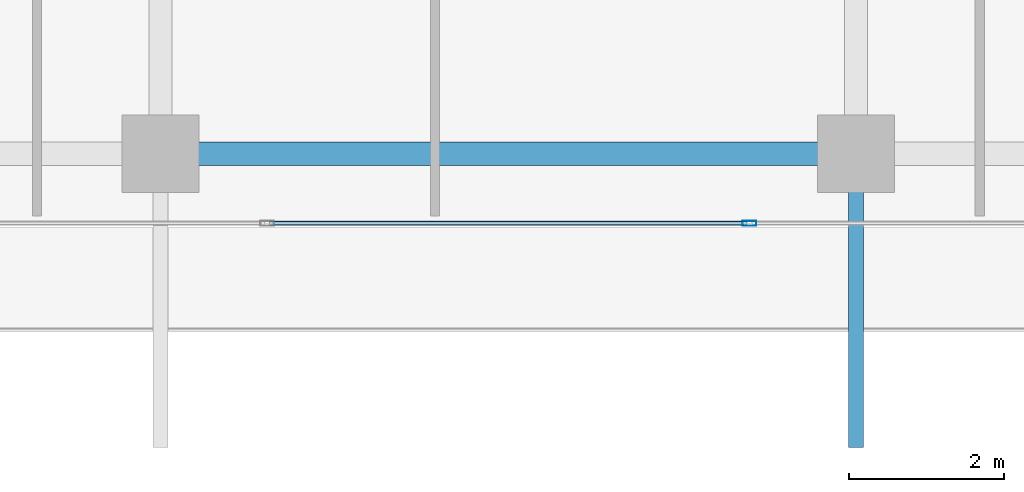
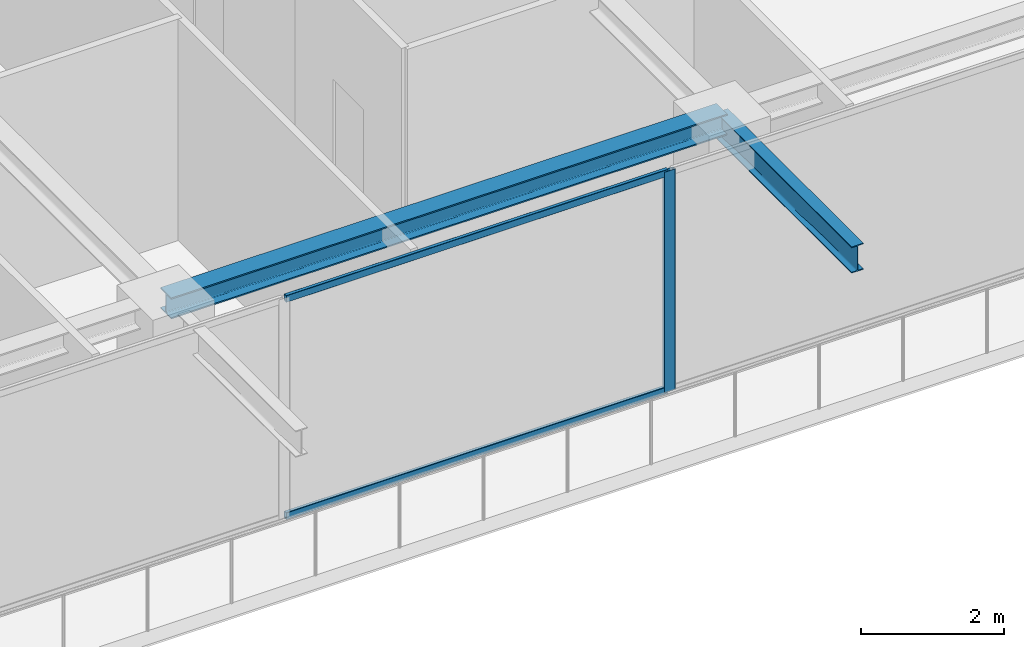
# One storey, part 6 of 37: 3 members, 2 beams, 1 element without a shape of its own.
"""IFC4 building model written with IfcOpenShell, lengths in metres."""

from ifc_helpers import new_model, si_unit, direction, frame, origin, origin_2d, place, context, subcontext, project, spatial, hollow_rectangle, i_section, extrude, source, transform, mapped, material, layer, layer_set, material_profile, profile_set, type_object, element, aggregate, save


model = new_model("IFC4")

# Units and contexts
model_context = context("Model", 3, precision=1e-05, world=origin(), true_north=direction((0.0, 1.0)))
body_context = subcontext(model_context, "Body", "Model", "MODEL_VIEW")
ifc_project = project(units=[si_unit("LENGTHUNIT", "METRE"), si_unit("AREAUNIT", "SQUARE_METRE"), si_unit("VOLUMEUNIT", "CUBIC_METRE"), si_unit("PLANEANGLEUNIT", "RADIAN"), si_unit("MASSUNIT", "GRAM", prefix="KILO")], contexts=[model_context])

# Site, building, storey
site_placement = place(None, origin())
site = spatial("IfcSite", under=ifc_project, at=site_placement, CompositionType="ELEMENT")
building_placement = place(site_placement, origin())
building = spatial("IfcBuilding", under=site, at=building_placement, Name="Serunith Strait Residences", CompositionType="ELEMENT")
storey_placement = place(building_placement, frame((0.0, 0.0, 317.75)))
storey = spatial("IfcBuildingStorey", under=building, at=storey_placement, Name="L79", CompositionType="ELEMENT", Elevation=317.75)

# Beams
ifc_material_1 = material(Name="Steel S355J2", Category="steel")
ifc_material_profile_1 = material_profile(ifc_material_1, i_section(OverallWidth=0.300048828125, OverallDepth=0.360107421875, WebThickness=0.012451171875, FlangeThickness=0.0224609375, FilletRadius=0.027099609375, at=origin_2d()), Name="HEB 360")
ifc_profile_set_1 = profile_set([ifc_material_profile_1], Name="Steel S355J2")
beam_type_1 = type_object("IfcBeamType", Name="BM-HEB360", PredefinedType="BEAM", material=ifc_profile_set_1)
shared_shape_1 = source(origin(), body_context, "Body", "SweptSolid", [
    extrude(i_section(OverallWidth=0.300048828125, OverallDepth=0.360107421875, WebThickness=0.012451171875, FlangeThickness=0.0224609375, FilletRadius=0.027099609375, at=origin_2d()), origin(), (0.0, 0.0, 1.0), 9.0),
])
beam_1_placement = place(storey_placement, frame((27.89990234375, 3.300048828125, 3.60693359375), z_axis=(1.0, 0.0, 0.0), x_axis=(0.0, 1.0, 0.0)))
element("IfcBeam", 1, at=beam_1_placement, inside=storey, type_object=beam_type_1, Name="L79 Perimeter Ring Beam 02", PredefinedType="BEAM", context=body_context, shape_type="MappedRepresentation", body=[
    mapped(shared_shape_1, transform((0.0, 0.0, 0.0), scale=1.0)),
])
ifc_material_profile_2 = material_profile(ifc_material_1, i_section(OverallWidth=0.18994140625, OverallDepth=0.449951171875, WebThickness=0.009521484375, FlangeThickness=0.0146484375, FilletRadius=0.02099609375, at=origin_2d()), Name="IPE 450")
ifc_profile_set_2 = profile_set([ifc_material_profile_2], Name="Steel S355J2")
beam_type_2 = type_object("IfcBeamType", Name="BM-IPE450", PredefinedType="JOIST", material=ifc_profile_set_2)
shared_shape_2 = source(origin(), body_context, "Body", "SweptSolid", [
    extrude(i_section(OverallWidth=0.18994140625, OverallDepth=0.449951171875, WebThickness=0.009521484375, FlangeThickness=0.0146484375, FilletRadius=0.02099609375, at=origin_2d()), origin(), (0.0, 0.0, 1.0), 3.800048828125),
])
beam_2_placement = place(storey_placement, frame((36.89990234375, 3.300048828125, 3.531982421875), z_axis=(0.0, -1.0, 0.0), x_axis=(1.0, 0.0, 0.0)))
element("IfcBeam", 2, at=beam_2_placement, inside=storey, type_object=beam_type_2, Name="L80 Cantilevered Balcony Rib TC-S3", PredefinedType="JOIST", context=body_context, shape_type="MappedRepresentation", body=[
    mapped(shared_shape_2, transform((0.0, 0.0, 0.0), scale=1.0)),
])

# Curtain wall, members
ifc_material_2 = material(Name="Brushed Stainless-Silver Aluminium", Category="aluminium")
ifc_layer = layer(ifc_material_2, 0.199951171875, Name="Brushed Stainless-Silver Aluminium")
ifc_layer_set = layer_set([ifc_layer], Name="Brushed Stainless-Silver Aluminium")
curtain_wall_type = type_object("IfcCurtainWallType", Name="CW-SYS5", PredefinedType="NOTDEFINED", material=ifc_layer_set)
curtain_wall_placement = place(storey_placement, origin())
curtain_wall = element("IfcCurtainWall", 3, at=curtain_wall_placement, inside=storey, type_object=curtain_wall_type, Name="L79 S Unitised Fritted Curtain Wall", PredefinedType="NOTDEFINED")
ifc_material_profile_3 = material_profile(ifc_material_2, hollow_rectangle(XDim=0.06005859375, YDim=0.1201171875, WallThickness=0.00341796875, InnerFilletRadius=0.00537109375, OuterFilletRadius=0.0087890625, at=origin_2d()), Name="ALU 120x60x3.5")
ifc_profile_set_3 = profile_set([ifc_material_profile_3], Name="Brushed Stainless-Silver Aluminium")
member_type_1 = type_object("IfcMemberType", Name="CW-SYS5-TRAN", PredefinedType="USERDEFINED", material=ifc_profile_set_3)
shared_shape_3 = source(origin(), body_context, "Body", "SweptSolid", [
    extrude(hollow_rectangle(XDim=0.06005859375, YDim=0.1201171875, WallThickness=0.00341796875, InnerFilletRadius=0.00537109375, OuterFilletRadius=0.0087890625, at=origin_2d()), origin(), (0.0, 0.0, 1.0), 6.175048828125),
])
member_1_placement = place(storey_placement, frame((29.3125, 2.39990234375, 0.030029296875), z_axis=(1.0, 0.0, 0.0), x_axis=(0.0, 1.0, 0.0)))
member_1 = element("IfcMember", 4, at=member_1_placement, type_object=member_type_1, Name="CW-5 transom 3.1", ObjectType="TRANSOM", PredefinedType="USERDEFINED", context=body_context, shape_type="MappedRepresentation", body=[
    mapped(shared_shape_3, transform((0.0, 0.0, 0.0), scale=1.0)),
])
member_2_placement = place(storey_placement, frame((29.3125, 2.39990234375, 3.7451171875), z_axis=(1.0, 0.0, 0.0), x_axis=(0.0, 1.0, 0.0)))
member_2 = element("IfcMember", 5, at=member_2_placement, type_object=member_type_1, Name="CW-5 transom 3.2", ObjectType="TRANSOM", PredefinedType="USERDEFINED", context=body_context, shape_type="MappedRepresentation", body=[
    mapped(shared_shape_3, transform((0.0, 0.0, 0.0), scale=1.0)),
])
ifc_material_profile_4 = material_profile(ifc_material_2, hollow_rectangle(XDim=0.06494140625, YDim=0.179931640625, WallThickness=0.00341796875, InnerFilletRadius=0.00537109375, OuterFilletRadius=0.0087890625, at=origin_2d()), Name="ALU 180x65x3.5")
ifc_profile_set_4 = profile_set([ifc_material_profile_4], Name="Brushed Stainless-Silver Aluminium")
member_type_2 = type_object("IfcMemberType", Name="CW-SYS5-MULL", PredefinedType="MULLION", material=ifc_profile_set_4)
shared_shape_4 = source(origin(), body_context, "Body", "SweptSolid", [
    extrude(hollow_rectangle(XDim=0.06494140625, YDim=0.179931640625, WallThickness=0.00341796875, InnerFilletRadius=0.00537109375, OuterFilletRadius=0.0087890625, at=origin_2d()), origin(), (0.0, 0.0, 1.0), 3.77490234375),
])
member_3_placement = place(storey_placement, frame((35.52001953125, 2.39990234375, 0.0), z_axis=(0.0, 0.0, 1.0), x_axis=(0.0, 1.0, 0.0)))
member_3 = element("IfcMember", 6, at=member_3_placement, type_object=member_type_2, Name="CW-5 mullion 4", PredefinedType="MULLION", context=body_context, shape_type="MappedRepresentation", body=[
    mapped(shared_shape_4, transform((0.0, 0.0, 0.0), scale=1.0)),
])
aggregate(curtain_wall, [member_3, member_1, member_2])

save(model, "model.ifc")
